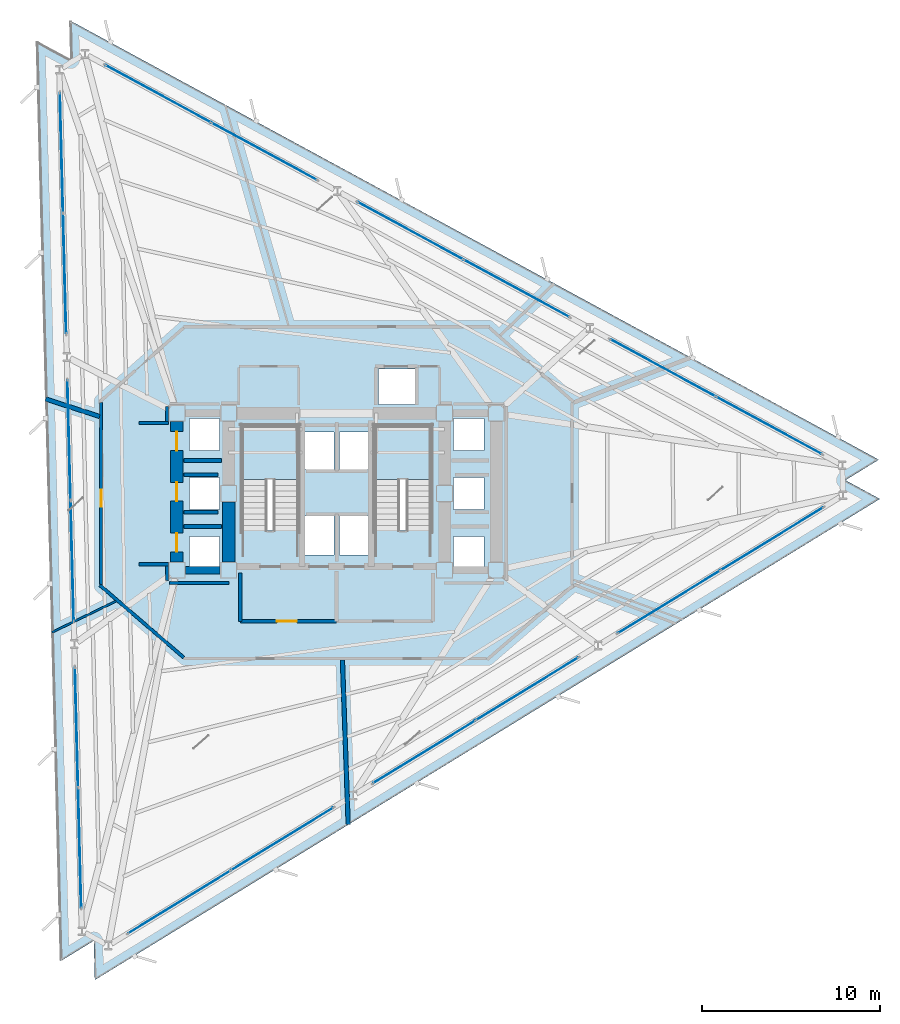
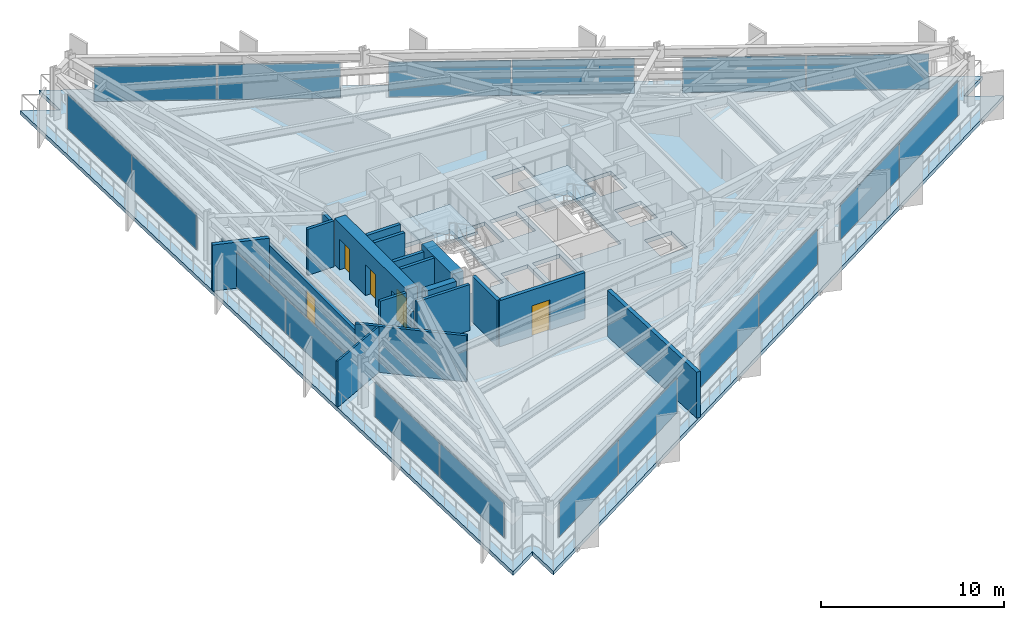
# One storey, part 7 of 14: 19 walls, 18 plates, 5 doors, 3 slabs, 5 openings, 11 elements without a shape of their own.
"""IFC4 building model written with IfcOpenShell, lengths in metres."""

from ifc_helpers import new_model, si_unit, direction, frame, frame_2d, origin, origin_2d, place, context, subcontext, project, spatial, polyline, rectangle, outline, extrude, material, layer, layer_set, type_object, element, fill, aggregate, save


model = new_model("IFC4")

# Units and contexts
model_context = context("Model", 3, precision=1e-05, world=origin(), true_north=direction((0.0, 1.0)))
body_context = subcontext(model_context, "Body", "Model", "MODEL_VIEW")
ifc_project = project(units=[si_unit("LENGTHUNIT", "METRE"), si_unit("AREAUNIT", "SQUARE_METRE"), si_unit("VOLUMEUNIT", "CUBIC_METRE"), si_unit("PLANEANGLEUNIT", "RADIAN"), si_unit("MASSUNIT", "GRAM", prefix="KILO")], contexts=[model_context])

# Site, building, storey
site_placement = place(None, origin())
site = spatial("IfcSite", under=ifc_project, at=site_placement, CompositionType="ELEMENT")
building_placement = place(site_placement, origin())
building = spatial("IfcBuilding", under=site, at=building_placement, Name="Rocaltana Carrier Exchange", CompositionType="ELEMENT")
storey_placement = place(building_placement, frame((0.0, 0.0, 22.239990234375)))
storey = spatial("IfcBuildingStorey", under=building, at=storey_placement, Name="L07", CompositionType="ELEMENT", Elevation=22.239990234375)

# Curtain wall, plates
ifc_material_1 = material(Name="Aluminium 6063-T6", Category="aluminium")
ifc_layer_1 = layer(ifc_material_1, 0.179931640625)
ifc_layer_set_1 = layer_set([ifc_layer_1], Name="Aluminium 6063-T6")
curtain_wall_type = type_object("IfcCurtainWallType", Name="Sandstone Spandrel Unitised Curtain Wall CW-01", PredefinedType="NOTDEFINED", material=ifc_layer_set_1)
curtain_wall_1_placement = place(storey_placement, origin())
curtain_wall_1 = element("IfcCurtainWall", 1, at=curtain_wall_1_placement, inside=storey, type_object=curtain_wall_type, Name="L07 CW-01 Run CW-L07-F1S1", PredefinedType="NOTDEFINED")
ifc_material_2 = material(Name="Tempered Laminated Glass", Category="glass")
ifc_layer_2 = layer(ifc_material_2, 0.0439453125)
ifc_layer_set_2 = layer_set([ifc_layer_2], Name="Tempered Laminated Glass")
plate_type = type_object("IfcPlateType", Name="CW-01 Stone-Insulated Vision Panel", PredefinedType="CURTAIN_PANEL", material=ifc_layer_set_2)
plate_1_placement = place(storey_placement, frame((24.23974609375, 3.8115234375, 0.06494140625), z_axis=(0.0, 0.0, 1.0), x_axis=(-0.878815639636, 0.477161473226, 0.0)))
plate_1 = element("IfcPlate", 2, at=plate_1_placement, type_object=plate_type, Name="CW-01 panel 1.1", PredefinedType="CURTAIN_PANEL", context=body_context, shape_type="SweptSolid", body=[
    extrude(rectangle(XDim=6.702392578125, YDim=0.0439453125, at=origin_2d()), origin(), (0.0, 0.0, 1.0), 2.347900390625),
])
plate_2_placement = place(storey_placement, frame((18.29248046875, 7.04052734375, 0.06494140625), z_axis=(0.0, 0.0, 1.0), x_axis=(-0.878815639636, 0.477161473226, 0.0)))
plate_2 = element("IfcPlate", 3, at=plate_2_placement, type_object=plate_type, Name="CW-01 panel 2.1", PredefinedType="CURTAIN_PANEL", context=body_context, shape_type="SweptSolid", body=[
    extrude(rectangle(XDim=6.702392578125, YDim=0.0439453125, at=origin_2d()), origin(), (0.0, 0.0, 1.0), 2.347900390625),
])
aggregate(curtain_wall_1, [plate_1, plate_2])

curtain_wall_2_placement = place(storey_placement, origin())
curtain_wall_2 = element("IfcCurtainWall", 4, at=curtain_wall_2_placement, inside=storey, type_object=curtain_wall_type, Name="L07 CW-01 Run CW-L07-F1S2", PredefinedType="NOTDEFINED")
plate_3_placement = place(storey_placement, frame((10.0908203125, 11.49365234375, 0.06494140625), z_axis=(0.0, 0.0, 1.0), x_axis=(-0.878814230428, 0.477164068636, 0.0)))
plate_3 = element("IfcPlate", 5, at=plate_3_placement, type_object=plate_type, Name="CW-01 panel 1.1", PredefinedType="CURTAIN_PANEL", context=body_context, shape_type="SweptSolid", body=[
    extrude(rectangle(XDim=6.70263671875, YDim=0.0439453125, at=origin_2d()), origin(), (0.0, 0.0, 1.0), 2.347900390625),
])
plate_4_placement = place(storey_placement, frame((4.1435546875, 14.722900390625, 0.06494140625), z_axis=(0.0, 0.0, 1.0), x_axis=(-0.878814230428, 0.477164068636, 0.0)))
plate_4 = element("IfcPlate", 6, at=plate_4_placement, type_object=plate_type, Name="CW-01 panel 2.1", PredefinedType="CURTAIN_PANEL", context=body_context, shape_type="SweptSolid", body=[
    extrude(rectangle(XDim=6.70263671875, YDim=0.0439453125, at=origin_2d()), origin(), (0.0, 0.0, 1.0), 2.347900390625),
])
aggregate(curtain_wall_2, [plate_3, plate_4])

curtain_wall_3_placement = place(storey_placement, origin())
curtain_wall_3 = element("IfcCurtainWall", 7, at=curtain_wall_3_placement, inside=storey, type_object=curtain_wall_type, Name="L07 CW-01 Run CW-L07-F1S3", PredefinedType="NOTDEFINED")
plate_5_placement = place(storey_placement, frame((-4.05810546875, 19.176025390625, 0.06494140625), z_axis=(0.0, 0.0, 1.0), x_axis=(-0.878818722982, 0.477155794406, 0.0)))
plate_5 = element("IfcPlate", 8, at=plate_5_placement, type_object=plate_type, Name="CW-01 panel 1.1", PredefinedType="CURTAIN_PANEL", context=body_context, shape_type="SweptSolid", body=[
    extrude(rectangle(XDim=6.702392578125, YDim=0.0439453125, at=origin_2d()), origin(), (0.0, 0.0, 1.0), 2.347900390625),
])
plate_6_placement = place(storey_placement, frame((-10.00537109375, 22.405029296875, 0.06494140625), z_axis=(0.0, 0.0, 1.0), x_axis=(-0.878818722982, 0.477155794406, 0.0)))
plate_6 = element("IfcPlate", 9, at=plate_6_placement, type_object=plate_type, Name="CW-01 panel 2.1", PredefinedType="CURTAIN_PANEL", context=body_context, shape_type="SweptSolid", body=[
    extrude(rectangle(XDim=6.702392578125, YDim=0.0439453125, at=origin_2d()), origin(), (0.0, 0.0, 1.0), 2.347900390625),
])
aggregate(curtain_wall_3, [plate_5, plate_6])

curtain_wall_4_placement = place(storey_placement, origin())
curtain_wall_4 = element("IfcCurtainWall", 10, at=curtain_wall_4_placement, inside=storey, type_object=curtain_wall_type, Name="L07 CW-01 Run CW-L07-F2S1", PredefinedType="NOTDEFINED")
plate_7_placement = place(storey_placement, frame((-15.420654296875, 19.086669921875, 0.06494140625), z_axis=(0.0, 0.0, 1.0), x_axis=(0.026183895077, -0.999657143044, 0.0)))
plate_7 = element("IfcPlate", 11, at=plate_7_placement, type_object=plate_type, Name="CW-01 panel 1.1", PredefinedType="CURTAIN_PANEL", context=body_context, shape_type="SweptSolid", body=[
    extrude(rectangle(XDim=6.702392578125, YDim=0.0439453125, at=origin_2d()), origin(), (0.0, 0.0, 1.0), 2.347900390625),
])
plate_8_placement = place(storey_placement, frame((-15.24365234375, 12.321533203125, 0.06494140625), z_axis=(0.0, 0.0, 1.0), x_axis=(0.026183895077, -0.999657143044, 0.0)))
plate_8 = element("IfcPlate", 12, at=plate_8_placement, type_object=plate_type, Name="CW-01 panel 2.1", PredefinedType="CURTAIN_PANEL", context=body_context, shape_type="SweptSolid", body=[
    extrude(rectangle(XDim=6.702392578125, YDim=0.0439453125, at=origin_2d()), origin(), (0.0, 0.0, 1.0), 2.347900390625),
])
aggregate(curtain_wall_4, [plate_7, plate_8])

curtain_wall_5_placement = place(storey_placement, origin())
curtain_wall_5 = element("IfcCurtainWall", 13, at=curtain_wall_5_placement, inside=storey, type_object=curtain_wall_type, Name="L07 CW-01 Run CW-L07-F2S2", PredefinedType="NOTDEFINED")
plate_9_placement = place(storey_placement, frame((-14.999267578125, 2.9921875, 0.06494140625), z_axis=(0.0, 0.0, 1.0), x_axis=(0.026176547142, -0.99965733548, 0.0)))
plate_9 = element("IfcPlate", 14, at=plate_9_placement, type_object=plate_type, Name="CW-01 panel 1.1", PredefinedType="CURTAIN_PANEL", context=body_context, shape_type="SweptSolid", body=[
    extrude(rectangle(XDim=6.702392578125, YDim=0.0439453125, at=origin_2d()), origin(), (0.0, 0.0, 1.0), 2.347900390625),
])
plate_10_placement = place(storey_placement, frame((-14.822021484375, -3.77294921875, 0.06494140625), z_axis=(0.0, 0.0, 1.0), x_axis=(0.026176547142, -0.99965733548, 0.0)))
plate_10 = element("IfcPlate", 15, at=plate_10_placement, type_object=plate_type, Name="CW-01 panel 2.1", PredefinedType="CURTAIN_PANEL", context=body_context, shape_type="SweptSolid", body=[
    extrude(rectangle(XDim=6.702392578125, YDim=0.0439453125, at=origin_2d()), origin(), (0.0, 0.0, 1.0), 2.347900390625),
])
aggregate(curtain_wall_5, [plate_9, plate_10])

curtain_wall_6_placement = place(storey_placement, origin())
curtain_wall_6 = element("IfcCurtainWall", 16, at=curtain_wall_6_placement, inside=storey, type_object=curtain_wall_type, Name="L07 CW-01 Run CW-L07-F2S3", PredefinedType="NOTDEFINED")
plate_11_placement = place(storey_placement, frame((-14.577880859375, -13.102294921875, 0.06494140625), z_axis=(0.0, 0.0, 1.0), x_axis=(0.026183895077, -0.999657143044, 0.0)))
plate_11 = element("IfcPlate", 17, at=plate_11_placement, type_object=plate_type, Name="CW-01 panel 1.1", PredefinedType="CURTAIN_PANEL", context=body_context, shape_type="SweptSolid", body=[
    extrude(rectangle(XDim=6.702392578125, YDim=0.0439453125, at=origin_2d()), origin(), (0.0, 0.0, 1.0), 2.347900390625),
])
plate_12_placement = place(storey_placement, frame((-14.400634765625, -19.867431640625, 0.06494140625), z_axis=(0.0, 0.0, 1.0), x_axis=(0.026183895077, -0.999657143044, 0.0)))
plate_12 = element("IfcPlate", 18, at=plate_12_placement, type_object=plate_type, Name="CW-01 panel 2.1", PredefinedType="CURTAIN_PANEL", context=body_context, shape_type="SweptSolid", body=[
    extrude(rectangle(XDim=6.702392578125, YDim=0.0439453125, at=origin_2d()), origin(), (0.0, 0.0, 1.0), 2.347900390625),
])
aggregate(curtain_wall_6, [plate_11, plate_12])

curtain_wall_7_placement = place(storey_placement, origin())
curtain_wall_7 = element("IfcCurtainWall", 19, at=curtain_wall_7_placement, inside=storey, type_object=curtain_wall_type, Name="L07 CW-01 Run CW-L07-F3S1", PredefinedType="NOTDEFINED")
plate_13_placement = place(storey_placement, frame((-8.819091796875, -22.898193359375, 0.06494140625), z_axis=(0.0, 0.0, 1.0), x_axis=(0.852636123996, 0.522505157925, 0.0)))
plate_13 = element("IfcPlate", 20, at=plate_13_placement, type_object=plate_type, Name="CW-01 panel 1.1", PredefinedType="CURTAIN_PANEL", context=body_context, shape_type="SweptSolid", body=[
    extrude(rectangle(XDim=6.70263671875, YDim=0.0439453125, at=origin_2d()), origin(), (0.0, 0.0, 1.0), 2.347900390625),
])
plate_14_placement = place(storey_placement, frame((-3.048828125, -19.362060546875, 0.06494140625), z_axis=(0.0, 0.0, 1.0), x_axis=(0.852636123996, 0.522505157925, 0.0)))
plate_14 = element("IfcPlate", 21, at=plate_14_placement, type_object=plate_type, Name="CW-01 panel 2.1", PredefinedType="CURTAIN_PANEL", context=body_context, shape_type="SweptSolid", body=[
    extrude(rectangle(XDim=6.70263671875, YDim=0.0439453125, at=origin_2d()), origin(), (0.0, 0.0, 1.0), 2.347900390625),
])
aggregate(curtain_wall_7, [plate_13, plate_14])

curtain_wall_8_placement = place(storey_placement, origin())
curtain_wall_8 = element("IfcCurtainWall", 22, at=curtain_wall_8_placement, inside=storey, type_object=curtain_wall_type, Name="L07 CW-01 Run CW-L07-F3S2", PredefinedType="NOTDEFINED")
plate_15_placement = place(storey_placement, frame((4.908447265625, -14.48583984375, 0.06494140625), z_axis=(0.0, 0.0, 1.0), x_axis=(0.852639399762, 0.522499812415, 0.0)))
plate_15 = element("IfcPlate", 23, at=plate_15_placement, type_object=plate_type, Name="CW-01 panel 1.1", PredefinedType="CURTAIN_PANEL", context=body_context, shape_type="SweptSolid", body=[
    extrude(rectangle(XDim=6.702392578125, YDim=0.0439453125, at=origin_2d()), origin(), (0.0, 0.0, 1.0), 2.347900390625),
])
plate_16_placement = place(storey_placement, frame((10.678466796875, -10.94970703125, 0.06494140625), z_axis=(0.0, 0.0, 1.0), x_axis=(0.852639399762, 0.522499812415, 0.0)))
plate_16 = element("IfcPlate", 24, at=plate_16_placement, type_object=plate_type, Name="CW-01 panel 2.1", PredefinedType="CURTAIN_PANEL", context=body_context, shape_type="SweptSolid", body=[
    extrude(rectangle(XDim=6.702392578125, YDim=0.0439453125, at=origin_2d()), origin(), (0.0, 0.0, 1.0), 2.347900390625),
])
aggregate(curtain_wall_8, [plate_15, plate_16])

curtain_wall_9_placement = place(storey_placement, origin())
curtain_wall_9 = element("IfcCurtainWall", 25, at=curtain_wall_9_placement, inside=storey, type_object=curtain_wall_type, Name="L07 CW-01 Run CW-L07-F3S3", PredefinedType="NOTDEFINED")
plate_17_placement = place(storey_placement, frame((18.6357421875, -6.07373046875, 0.06494140625), z_axis=(0.0, 0.0, 1.0), x_axis=(0.852639399762, 0.522499812415, 0.0)))
plate_17 = element("IfcPlate", 26, at=plate_17_placement, type_object=plate_type, Name="CW-01 panel 1.1", PredefinedType="CURTAIN_PANEL", context=body_context, shape_type="SweptSolid", body=[
    extrude(rectangle(XDim=6.702392578125, YDim=0.0439453125, at=origin_2d()), origin(), (0.0, 0.0, 1.0), 2.347900390625),
])
plate_18_placement = place(storey_placement, frame((24.406005859375, -2.53759765625, 0.06494140625), z_axis=(0.0, 0.0, 1.0), x_axis=(0.852639399762, 0.522499812415, 0.0)))
plate_18 = element("IfcPlate", 27, at=plate_18_placement, type_object=plate_type, Name="CW-01 panel 2.1", PredefinedType="CURTAIN_PANEL", context=body_context, shape_type="SweptSolid", body=[
    extrude(rectangle(XDim=6.702392578125, YDim=0.0439453125, at=origin_2d()), origin(), (0.0, 0.0, 1.0), 2.347900390625),
])
aggregate(curtain_wall_9, [plate_17, plate_18])

# Slab
ifc_material_3 = material(Name="Concrete C60/75", Category="concrete")
ifc_layer_3 = layer(ifc_material_3, 0.260009765625)
ifc_layer_set_3 = layer_set([ifc_layer_3], Name="Concrete C60/75")
slab_type_1 = type_object("IfcSlabType", Name="Low-Zone Tower Slab 260", PredefinedType="FLOOR", material=ifc_layer_set_3)
slab_1_placement = place(storey_placement, frame((0.0, 0.0, -0.260009765625)))
element("IfcSlab", 28, at=slab_1_placement, inside=storey, type_object=slab_type_1, Name="L07 Structural Floor Slab", PredefinedType="FLOOR", context=body_context, shape_type="SweptSolid", body=[
    extrude(outline(polyline([(30.444580078125, -0.30322265625), (28.51123046875, 0.74658203125), (30.38720703125, 1.89599609375), (-14.959716796875, 26.517578125), (-14.902099609375, 24.318115234375), (-16.835693359375, 25.367919921875), (-15.48486328125, -26.21435546875), (-13.609130859375, -25.064697265625), (-13.551513671875, -27.26416015625), (30.444580078125, -0.30322265625)]), holes=[polyline([(-5.300048828125, -2.06005859375), (-2.139892578125, -2.06005859375), (-2.139892578125, 3.800048828125), (-5.300048828125, 3.800048828125), (-5.300048828125, -2.06005859375)]), polyline([(2.139892578125, -2.06005859375), (5.300048828125, -2.06005859375), (5.300048828125, 3.800048828125), (2.139892578125, 3.800048828125), (2.139892578125, -2.06005859375)]), polyline([(-1.85009765625, -3.449951171875), (-0.14990234375, -3.449951171875), (-0.14990234375, -1.25), (-1.85009765625, -1.25), (-1.85009765625, -3.449951171875)]), polyline([(0.14990234375, -3.449951171875), (1.85009765625, -3.449951171875), (1.85009765625, -1.25), (0.14990234375, -1.25), (0.14990234375, -3.449951171875)]), polyline([(2.35009765625, 4.97998046875), (4.39990234375, 4.97998046875), (4.39990234375, 6.97998046875), (2.35009765625, 6.97998046875), (2.35009765625, 4.97998046875)]), polyline([(-1.85009765625, 1.35009765625), (-0.14990234375, 1.35009765625), (-0.14990234375, 3.449951171875), (-1.85009765625, 3.449951171875), (-1.85009765625, 1.35009765625)]), polyline([(0.14990234375, 1.35009765625), (1.85009765625, 1.35009765625), (1.85009765625, 3.449951171875), (0.14990234375, 3.449951171875), (0.14990234375, 1.35009765625)]), polyline([(-8.25, -4.199951171875), (-6.550048828125, -4.199951171875), (-6.550048828125, -2.39990234375), (-8.25, -2.39990234375), (-8.25, -4.199951171875)]), polyline([(-8.25, -0.89990234375), (-6.550048828125, -0.89990234375), (-6.550048828125, 0.89990234375), (-8.25, 0.89990234375), (-8.25, -0.89990234375)]), polyline([(-8.25, 2.39990234375), (-6.550048828125, 2.39990234375), (-6.550048828125, 4.199951171875), (-8.25, 4.199951171875), (-8.25, 2.39990234375)]), polyline([(6.550048828125, -4.199951171875), (8.25, -4.199951171875), (8.25, -2.39990234375), (6.550048828125, -2.39990234375), (6.550048828125, -4.199951171875)]), polyline([(6.550048828125, -0.89990234375), (8.25, -0.89990234375), (8.25, 0.89990234375), (6.550048828125, 0.89990234375), (6.550048828125, -0.89990234375)]), polyline([(6.550048828125, 2.39990234375), (8.25, 2.39990234375), (8.25, 4.199951171875), (6.550048828125, 4.199951171875), (6.550048828125, 2.39990234375)])]), origin(), (0.0, 0.0, 1.0), 0.260009765625),
])

# Stair, slab
ifc_material_4 = material(Name="Precast concrete C45/55", Category="concrete")
stair_type = type_object("IfcStairType", Name="Standard Dog-Leg Stair 160", PredefinedType="HALF_TURN_STAIR", material=ifc_material_4)
stair_1_placement = place(storey_placement, origin())
stair_1 = element("IfcStair", 29, at=stair_1_placement, inside=storey, type_object=stair_type, Name="L07 Core West Exit Stair ST-1", PredefinedType="HALF_TURN_STAIR")
ifc_material_5 = material(Name="Precast concrete C45/55", Category="concrete")
ifc_layer_4 = layer(ifc_material_5, 0.199951171875)
ifc_layer_set_4 = layer_set([ifc_layer_4], Name="Precast concrete C45/55")
slab_type_2 = type_object("IfcSlabType", Name="Precast Stair Half-Landing 200", PredefinedType="LANDING", material=ifc_layer_set_4)
slab_2_placement = place(storey_placement, frame((0.0, 0.0, 1.47998046875)))
slab_2 = element("IfcSlab", 30, at=slab_2_placement, type_object=slab_type_2, Name="ST-1 landing 1", PredefinedType="LANDING", context=body_context, shape_type="SweptSolid", body=[
    extrude(outline(polyline([(-2.139892578125, 0.780029296875), (-2.139892578125, 3.800048828125), (-5.300048828125, 3.800048828125), (-5.300048828125, 0.780029296875), (-2.139892578125, 0.780029296875)])), origin(), (0.0, 0.0, 1.0), 0.199951171875),
])
aggregate(stair_1, [slab_2])

stair_2_placement = place(storey_placement, origin())
stair_2 = element("IfcStair", 31, at=stair_2_placement, inside=storey, type_object=stair_type, Name="L07 Core East Exit Stair ST-2", PredefinedType="HALF_TURN_STAIR")
slab_3_placement = place(storey_placement, frame((0.0, 0.0, 1.47998046875)))
slab_3 = element("IfcSlab", 32, at=slab_3_placement, type_object=slab_type_2, Name="ST-2 landing 1", PredefinedType="LANDING", context=body_context, shape_type="SweptSolid", body=[
    extrude(outline(polyline([(5.300048828125, 0.780029296875), (5.300048828125, 3.800048828125), (2.139892578125, 3.800048828125), (2.139892578125, 0.780029296875), (5.300048828125, 0.780029296875)])), origin(), (0.0, 0.0, 1.0), 0.199951171875),
])
aggregate(stair_2, [slab_3])

# Walls
ifc_material_6 = material(Name="Concrete C50/60", Category="concrete")
ifc_layer_5 = layer(ifc_material_6, 0.39990234375)
ifc_layer_set_5 = layer_set([ifc_layer_5], Name="Concrete C50/60")
wall_type_1 = type_object("IfcWallType", Name="Core Internal Shear Wall 400", PredefinedType="SHEAR", material=ifc_layer_set_5)
wall_1_placement = place(storey_placement, frame((-8.47509765625, -4.300048828125, 0.0), z_axis=(0.0, 0.0, 1.0), x_axis=(1.0, 0.0, 0.0)))
element("IfcWall", 33, at=wall_1_placement, inside=storey, type_object=wall_type_1, Name="L07 Core Shear Wall CW-WWS", PredefinedType="SHEAR", context=body_context, shape_type="SweptSolid", body=[
    extrude(rectangle(XDim=1.9501953125, YDim=0.39990234375, at=frame_2d((0.97509765625, 0.0))), origin(), (0.0, 0.0, 1.0), 3.097900390625),
])
ifc_material_7 = material(Name="Concrete C60/75", Category="concrete")
ifc_layer_6 = layer(ifc_material_7, 0.699951171875)
ifc_layer_set_6 = layer_set([ifc_layer_6], Name="Concrete C60/75")
wall_type_2 = type_object("IfcWallType", Name="Core Shear Wall 700", PredefinedType="SHEAR", material=ifc_layer_set_6)
wall_2_placement = place(storey_placement, frame((-6.050048828125, -3.824951171875, 0.0), z_axis=(0.0, 0.0, 1.0), x_axis=(0.0, 1.0, 0.0)))
element("IfcWall", 34, at=wall_2_placement, inside=storey, type_object=wall_type_2, Name="L07 Core Shear Wall CW-WS", PredefinedType="SHEAR", context=body_context, shape_type="SweptSolid", body=[
    extrude(rectangle(XDim=3.349853515625, YDim=0.699951171875, at=frame_2d((1.6748046875, 0.0))), origin(), (0.0, 0.0, 1.0), 3.097900390625),
])

# Wall, openings, doors
wall_3_placement = place(storey_placement, frame((-8.949951171875, -3.824951171875, 0.0), z_axis=(0.0, 0.0, 1.0), x_axis=(0.0, 1.0, 0.0)))
wall_3 = element("IfcWall", 35, at=wall_3_placement, inside=storey, type_object=wall_type_2, Name="L07 Core Shear Wall CW-WW", PredefinedType="SHEAR", context=body_context, shape_type="SweptSolid", body=[
    extrude(rectangle(XDim=7.849853515625, YDim=0.699951171875, at=frame_2d((3.9248046875, 0.0))), origin(), (0.0, 0.0, 1.0), 3.097900390625),
])
opening_1_placement = place(wall_3_placement, frame((0.550048828125, 0.0, 0.0)))
opening_1 = element("IfcOpeningElement", 36, at=opening_1_placement, cuts=wall_3, Name="Opening LD-110", PredefinedType="OPENING", context=body_context, shape_type="SweptSolid", body=[
    extrude(rectangle(XDim=1.06005859375, YDim=2.0400390625, at=frame_2d((0.530029296875, 1.02001953125))), frame((0.0, 0.35986328125, 0.0), z_axis=(0.0, -1.0, 0.0), x_axis=(1.0, 0.0, 0.0)), (0.0, 0.0, 1.0), 0.719970703125),
])
opening_2_placement = place(wall_3_placement, frame((3.39501953125, 0.0, 0.0)))
opening_2 = element("IfcOpeningElement", 37, at=opening_2_placement, cuts=wall_3, Name="Opening LD-110", PredefinedType="OPENING", context=body_context, shape_type="SweptSolid", body=[
    extrude(rectangle(XDim=1.06005859375, YDim=2.0400390625, at=frame_2d((0.530029296875, 1.02001953125))), frame((0.0, 0.35986328125, 0.0), z_axis=(0.0, -1.0, 0.0), x_axis=(1.0, 0.0, 0.0)), (0.0, 0.0, 1.0), 0.719970703125),
])
opening_3_placement = place(wall_3_placement, frame((6.22998046875, 0.0, 0.0)))
opening_3 = element("IfcOpeningElement", 38, at=opening_3_placement, cuts=wall_3, Name="Opening LD-110", PredefinedType="OPENING", context=body_context, shape_type="SweptSolid", body=[
    extrude(rectangle(XDim=1.06005859375, YDim=2.0400390625, at=frame_2d((0.530029296875, 1.02001953125))), frame((0.0, 0.35986328125, 0.0), z_axis=(0.0, -1.0, 0.0), x_axis=(1.0, 0.0, 0.0)), (0.0, 0.0, 1.0), 0.719970703125),
])
ifc_material_8 = material(Name="Brushed Stainless Sliding Door Leaf", Category="steel")
door_type_1 = type_object("IfcDoorType", Name="Lift Landing Sliding Door 1060x2040", OperationType="NOTDEFINED", PredefinedType="DOOR", material=ifc_material_8)
door_1_placement = place(opening_1_placement, origin())
door_1 = element("IfcDoor", 39, at=door_1_placement, inside=storey, type_object=door_type_1, Name="L07 Low-Rise Lift PL-L1 Landing Door", OperationType="SLIDING_TO_LEFT", OverallHeight=2.0400390625, OverallWidth=1.06005859375, PredefinedType="DOOR", context=body_context, shape_type="SweptSolid", body=[
    extrude(rectangle(XDim=1.06005859375, YDim=2.0400390625, at=frame_2d((0.530029296875, 1.02001953125))), frame((0.0, 0.02490234375, 0.0), z_axis=(0.0, -1.0, 0.0), x_axis=(1.0, 0.0, 0.0)), (0.0, 0.0, 1.0), 0.050048828125),
])
fill(opening_1, door_1)
door_2_placement = place(opening_2_placement, origin())
door_2 = element("IfcDoor", 40, at=door_2_placement, inside=storey, type_object=door_type_1, Name="L07 Low-Rise Lift PL-L2 Landing Door", OperationType="SLIDING_TO_RIGHT", OverallHeight=2.0400390625, OverallWidth=1.06005859375, PredefinedType="DOOR", context=body_context, shape_type="SweptSolid", body=[
    extrude(rectangle(XDim=1.06005859375, YDim=2.0400390625, at=frame_2d((0.530029296875, 1.02001953125))), frame((0.0, 0.02490234375, 0.0), z_axis=(0.0, -1.0, 0.0), x_axis=(1.0, 0.0, 0.0)), (0.0, 0.0, 1.0), 0.050048828125),
])
fill(opening_2, door_2)
door_3_placement = place(opening_3_placement, origin())
door_3 = element("IfcDoor", 41, at=door_3_placement, inside=storey, type_object=door_type_1, Name="L07 Low-Rise Lift PL-L3 Landing Door", OperationType="SLIDING_TO_LEFT", OverallHeight=2.0400390625, OverallWidth=1.06005859375, PredefinedType="DOOR", context=body_context, shape_type="SweptSolid", body=[
    extrude(rectangle(XDim=1.06005859375, YDim=2.0400390625, at=frame_2d((0.530029296875, 1.02001953125))), frame((0.0, 0.02490234375, 0.0), z_axis=(0.0, -1.0, 0.0), x_axis=(1.0, 0.0, 0.0)), (0.0, 0.0, 1.0), 0.050048828125),
])
fill(opening_3, door_3)

# Wall
ifc_material_9 = material(Name="Gypsum & Steel Stud Partition", Category="steel")
ifc_layer_7 = layer(ifc_material_9, 0.179931640625)
ifc_layer_set_7 = layer_set([ifc_layer_7], Name="Gypsum & Steel Stud Partition")
wall_type_3 = type_object("IfcWallType", Name="Corridor Fire Partition 180 EI60", PredefinedType="PARTITIONING", material=ifc_layer_set_7)
wall_4_placement = place(storey_placement, frame((-8.568115234375, -9.191162109375, 0.0), z_axis=(0.0, 0.0, 1.0), x_axis=(-0.757556899173, 0.652769135694, 0.0)))
element("IfcWall", 42, at=wall_4_placement, inside=storey, type_object=wall_type_3, Name="L07 Corridor Partition 6", PredefinedType="PARTITIONING", context=body_context, shape_type="SweptSolid", body=[
    extrude(rectangle(XDim=6.204345703125, YDim=0.179931640625, at=frame_2d((3.10205078125, 0.0))), origin(), (0.0, 0.0, 1.0), 3.072998046875),
])

# Wall, opening, door
wall_5_placement = place(storey_placement, frame((-13.199951171875, -5.110107421875, 0.0), z_axis=(0.0, 0.0, 1.0), x_axis=(0.0, 1.0, 0.0)))
wall_5 = element("IfcWall", 43, at=wall_5_placement, inside=storey, type_object=wall_type_3, Name="L07 Corridor Partition 7", PredefinedType="PARTITIONING", context=body_context, shape_type="SweptSolid", body=[
    extrude(rectangle(XDim=10.22021484375, YDim=0.179931640625, at=frame_2d((5.110107421875, 0.0))), origin(), (0.0, 0.0, 1.0), 2.5869140625),
])
opening_4_placement = place(wall_5_placement, frame((4.361328125, 0.0, 0.0)))
opening_4 = element("IfcOpeningElement", 44, at=opening_4_placement, cuts=wall_5, Name="Opening D-RM098", PredefinedType="OPENING", context=body_context, shape_type="SweptSolid", body=[
    extrude(rectangle(XDim=0.9599609375, YDim=2.02001953125, at=frame_2d((0.47998046875, 1.010009765625))), frame((0.0, 0.099853515625, 0.0), z_axis=(0.0, -1.0, 0.0), x_axis=(1.0, 0.0, 0.0)), (0.0, 0.0, 1.0), 0.199951171875),
])
ifc_material_10 = material(Name="Engineered Hardwood Timber", Category="wood")
door_type_2 = type_object("IfcDoorType", Name="Workspace Single Door 960x2020", OperationType="NOTDEFINED", PredefinedType="DOOR", material=ifc_material_10)
door_4_placement = place(opening_4_placement, origin())
door_4 = element("IfcDoor", 45, at=door_4_placement, inside=storey, type_object=door_type_2, Name="L07 Cloud Architecture Office Entrance Door", OperationType="SINGLE_SWING_RIGHT", OverallHeight=2.02001953125, OverallWidth=0.9599609375, PredefinedType="DOOR", context=body_context, shape_type="SweptSolid", body=[
    extrude(rectangle(XDim=0.9599609375, YDim=2.02001953125, at=frame_2d((0.47998046875, 1.010009765625))), frame((0.0, 0.02490234375, 0.0), z_axis=(0.0, -1.0, 0.0), x_axis=(1.0, 0.0, 0.0)), (0.0, 0.0, 1.0), 0.050048828125),
])
fill(opening_4, door_4)

# Walls
wall_6_placement = place(storey_placement, frame((-9.510009765625, 4.8701171875, 0.0), z_axis=(0.0, 0.0, 1.0), x_axis=(0.0, -1.0, 0.0)))
element("IfcWall", 46, at=wall_6_placement, inside=storey, type_object=wall_type_3, Name="L07 Corridor Partition 9", PredefinedType="PARTITIONING", context=body_context, shape_type="SweptSolid", body=[
    extrude(rectangle(XDim=0.820068359375, YDim=0.179931640625, at=frame_2d((0.41015625, 0.0))), origin(), (0.0, 0.0, 1.0), 3.072998046875),
])
for number, where, z_axis, x_axis, name in (
    (47, (-9.419921875, 3.9599609375, 0.0), (0.0, 0.0, 1.0), (-1.0, 0.0, 0.0), "L07 Corridor Partition 10"),
    (48, (-11.070068359375, -3.9599609375, 0.0), (0.0, 0.0, 1.0), (1.0, 0.0, 0.0), "L07 Corridor Partition 11"),
):
    element("IfcWall", number, at=place(storey_placement, frame(where, z_axis=z_axis, x_axis=x_axis)), inside=storey, type_object=wall_type_3, Name=name, PredefinedType="PARTITIONING", context=body_context, shape_type="SweptSolid", body=[
        extrude(rectangle(XDim=1.650146484375, YDim=0.179931640625, at=frame_2d((0.8251953125, 0.0))), origin(), (0.0, 0.0, 1.0), 3.072998046875),
    ])
wall_7_placement = place(storey_placement, frame((-9.510009765625, -4.050048828125, 0.0), z_axis=(0.0, 0.0, 1.0), x_axis=(0.0, -1.0, 0.0)))
element("IfcWall", 49, at=wall_7_placement, inside=storey, type_object=wall_type_3, Name="L07 Corridor Partition 12", PredefinedType="PARTITIONING", context=body_context, shape_type="SweptSolid", body=[
    extrude(rectangle(XDim=0.820068359375, YDim=0.179931640625, at=frame_2d((0.41015625, 0.0))), origin(), (0.0, 0.0, 1.0), 2.35791015625),
])
wall_8_placement = place(storey_placement, frame((-9.3701171875, -5.010009765625, 0.0), z_axis=(0.0, 0.0, 1.0), x_axis=(1.0, 0.0, 0.0)))
element("IfcWall", 50, at=wall_8_placement, inside=storey, type_object=wall_type_3, Name="L07 Corridor Partition 13", PredefinedType="PARTITIONING", context=body_context, shape_type="SweptSolid", body=[
    extrude(rectangle(XDim=3.340087890625, YDim=0.179931640625, at=frame_2d((1.669921875, 0.0))), origin(), (0.0, 0.0, 1.0), 3.072998046875),
])
ifc_material_11 = material(Name="Aluminium 6063-T6 & Acoustic Glass", Category="aluminium")
ifc_layer_8 = layer(ifc_material_11, 0.114990234375)
ifc_layer_set_8 = layer_set([ifc_layer_8], Name="Aluminium 6063-T6 & Acoustic Glass")
wall_type_4 = type_object("IfcWallType", Name="Demountable Glazed Lab Partition 115", PredefinedType="MOVABLE", material=ifc_layer_set_8)
wall_9_placement = place(storey_placement, frame((-12.36083984375, -6.02880859375, 0.0), z_axis=(0.0, 0.0, 1.0), x_axis=(-0.898800692661, -0.438357519466, 0.0)))
element("IfcWall", 51, at=wall_9_placement, inside=storey, type_object=wall_type_4, Name="L07 Suite Divider Wall D1", PredefinedType="MOVABLE", context=body_context, shape_type="SweptSolid", body=[
    extrude(rectangle(XDim=4.001708984375, YDim=0.114990234375, at=frame_2d((2.0009765625, 0.0))), origin(), (0.0, 0.0, 1.0), 3.072998046875),
])
ifc_material_12 = material(Name="Autoclaved Aerated Concrete C30/37", Category="concrete")
ifc_layer_9 = layer(ifc_material_12, 0.219970703125)
ifc_layer_set_9 = layer_set([ifc_layer_9], Name="Autoclaved Aerated Concrete C30/37")
wall_type_5 = type_object("IfcWallType", Name="Firefighting Lobby Wall 220 EI120", PredefinedType="PARTITIONING", material=ifc_layer_set_9)
wall_10_placement = place(storey_placement, frame((-5.39990234375, -7.159912109375, 0.0), z_axis=(0.0, 0.0, 1.0), x_axis=(0.0, 1.0, 0.0)))
element("IfcWall", 52, at=wall_10_placement, inside=storey, type_object=wall_type_5, Name="L07 FFL Lobby 1 West Wall", PredefinedType="PARTITIONING", context=body_context, shape_type="SweptSolid", body=[
    extrude(rectangle(XDim=2.7099609375, YDim=0.219970703125, at=frame_2d((1.35498046875, 0.0))), origin(), (0.0, 0.0, 1.0), 3.072998046875),
])

# Wall, opening, door
wall_11_placement = place(storey_placement, frame((-5.39990234375, -7.159912109375, 0.0), z_axis=(0.0, 0.0, 1.0), x_axis=(1.0, 0.0, 0.0)))
wall_11 = element("IfcWall", 53, at=wall_11_placement, inside=storey, type_object=wall_type_5, Name="L07 FFL Lobby 1 South Wall", PredefinedType="PARTITIONING", context=body_context, shape_type="SweptSolid", body=[
    extrude(rectangle(XDim=5.39990234375, YDim=0.219970703125, at=frame_2d((2.699951171875, 0.0))), origin(), (0.0, 0.0, 1.0), 3.072998046875),
])
opening_5_placement = place(wall_11_placement, frame((2.050048828125, 0.0, 0.0)))
opening_5 = element("IfcOpeningElement", 54, at=opening_5_placement, cuts=wall_11, Name="Opening D-FF115", PredefinedType="OPENING", context=body_context, shape_type="SweptSolid", body=[
    extrude(rectangle(XDim=1.1201171875, YDim=2.02001953125, at=frame_2d((0.56005859375, 1.010009765625))), frame((0.0, 0.119873046875, 0.0), z_axis=(0.0, -1.0, 0.0), x_axis=(1.0, 0.0, 0.0)), (0.0, 0.0, 1.0), 0.239990234375),
])
ifc_material_13 = material(Name="Hollow Metal Fire Door Assembly", Category="steel")
door_type_3 = type_object("IfcDoorType", Name="Firefighting Lobby Door 1120x2020 FD60S", OperationType="NOTDEFINED", PredefinedType="DOOR", material=ifc_material_13)
door_5_placement = place(opening_5_placement, origin())
door_5 = element("IfcDoor", 55, at=door_5_placement, inside=storey, type_object=door_type_3, Name="L07 Firefighting Lift Lobby 1 Door", OperationType="SINGLE_SWING_RIGHT", OverallHeight=2.02001953125, OverallWidth=1.1201171875, PredefinedType="DOOR", context=body_context, shape_type="SweptSolid", body=[
    extrude(rectangle(XDim=1.1201171875, YDim=2.02001953125, at=frame_2d((0.56005859375, 1.010009765625))), frame((0.0, 0.02490234375, 0.0), z_axis=(0.0, -1.0, 0.0), x_axis=(1.0, 0.0, 0.0)), (0.0, 0.0, 1.0), 0.050048828125),
])
fill(opening_5, door_5)

# Walls
ifc_material_14 = material(Name="Acoustic Calcium Silicate Partition", Category="gypsum")
ifc_layer_10 = layer(ifc_material_14, 0.239990234375)
ifc_layer_set_10 = layer_set([ifc_layer_10], Name="Acoustic Calcium Silicate Partition")
wall_type_6 = type_object("IfcWallType", Name="Heavy Lab Partition 240 EI90", PredefinedType="PARTITIONING", material=ifc_layer_set_10)
wall_12_placement = place(storey_placement, frame((0.32568359375, -9.330078125, 0.0), z_axis=(0.0, 0.0, 1.0), x_axis=(0.034901543767, -0.999390755532, 0.0)))
element("IfcWall", 56, at=wall_12_placement, inside=storey, type_object=wall_type_6, Name="L07 Suite Divider Wall D2", PredefinedType="PARTITIONING", context=body_context, shape_type="SweptSolid", body=[
    extrude(rectangle(XDim=9.2265625, YDim=0.239990234375, at=frame_2d((4.61328125, 0.0))), origin(), (0.0, 0.0, 1.0), 3.072998046875),
])
wall_13_placement = place(storey_placement, frame((-13.280029296875, 4.31494140625, 0.0), z_axis=(0.0, 0.0, 1.0), x_axis=(-0.951062315171, 0.3089991467, 0.0)))
element("IfcWall", 57, at=wall_13_placement, inside=storey, type_object=wall_type_6, Name="L07 Suite Divider Wall D8", PredefinedType="PARTITIONING", context=body_context, shape_type="SweptSolid", body=[
    extrude(rectangle(XDim=3.175537109375, YDim=0.239990234375, at=frame_2d((1.587890625, 0.0))), origin(), (0.0, 0.0, 1.0), 3.072998046875),
])
ifc_material_15 = material(Name="Reinforced Concrete Block C35/45", Category="concrete")
ifc_layer_11 = layer(ifc_material_15, 0.199951171875)
ifc_layer_set_11 = layer_set([ifc_layer_11], Name="Reinforced Concrete Block C35/45")
wall_type_7 = type_object("IfcWallType", Name="Lift Hoistway Enclosure Wall 200 EI120", PredefinedType="PARTITIONING", material=ifc_layer_set_11)
for number, where, z_axis, x_axis, name in (
    (58, (-8.550048828125, -1.85009765625, 0.0), (0.0, 0.0, 1.0), (1.0, 0.0, 0.0), "L07 Low-Rise Shaft Divider 1"),
    (59, (-8.550048828125, 1.85009765625, 0.0), (0.0, 0.0, 1.0), (1.0, 0.0, 0.0), "L07 Low-Rise Shaft Divider 2"),
):
    element("IfcWall", number, at=place(storey_placement, frame(where, z_axis=z_axis, x_axis=x_axis)), inside=storey, type_object=wall_type_7, Name=name, PredefinedType="PARTITIONING", context=body_context, shape_type="SweptSolid", body=[
        extrude(rectangle(XDim=2.10009765625, YDim=0.199951171875, at=frame_2d((1.050048828125, 0.0))), origin(), (0.0, 0.0, 1.0), 3.072998046875),
    ])
for number, where, z_axis, x_axis, name in (
    (60, (-8.550048828125, -1.050048828125, 0.0), (0.0, 0.0, 1.0), (1.0, 0.0, 0.0), "L07 Low-Rise Center Shaft Wall South"),
    (61, (-8.550048828125, 1.050048828125, 0.0), (0.0, 0.0, 1.0), (1.0, 0.0, 0.0), "L07 Low-Rise Center Shaft Wall North"),
):
    element("IfcWall", number, at=place(storey_placement, frame(where, z_axis=z_axis, x_axis=x_axis)), inside=storey, type_object=wall_type_7, Name=name, PredefinedType="PARTITIONING", context=body_context, shape_type="SweptSolid", body=[
        extrude(rectangle(XDim=1.91015625, YDim=0.199951171875, at=frame_2d((0.955078125, 0.0))), origin(), (0.0, 0.0, 1.0), 3.072998046875),
    ])

save(model, "model.ifc")
